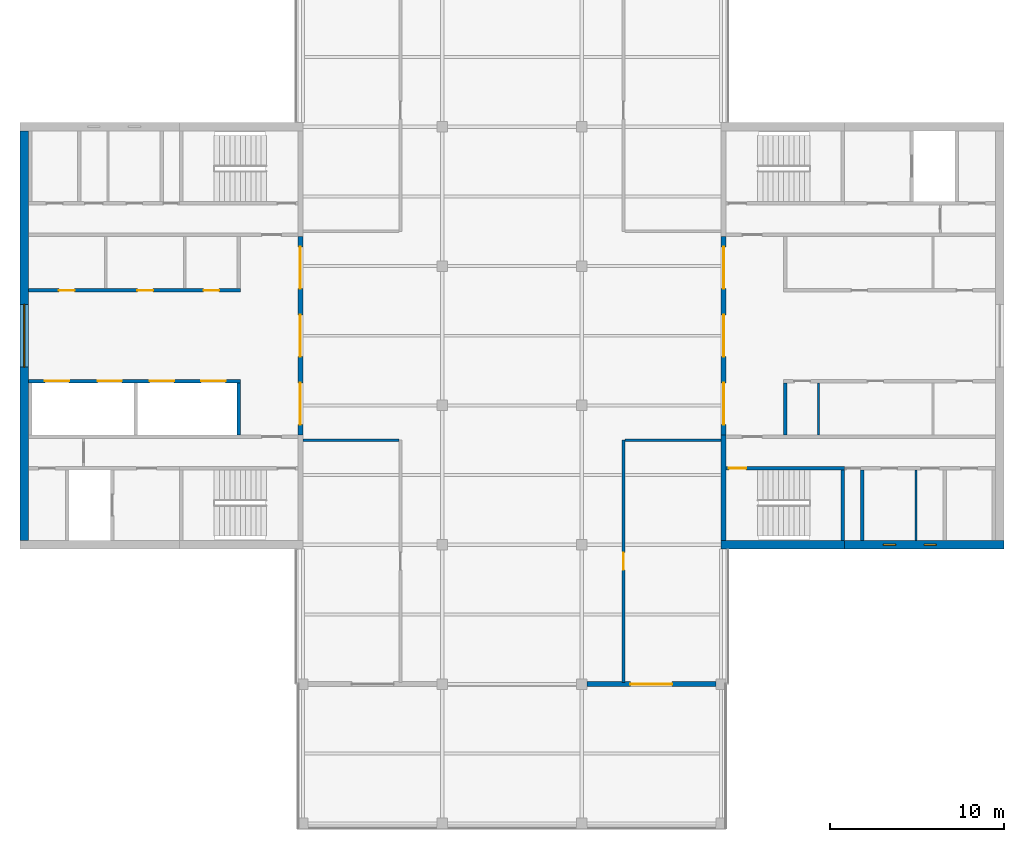
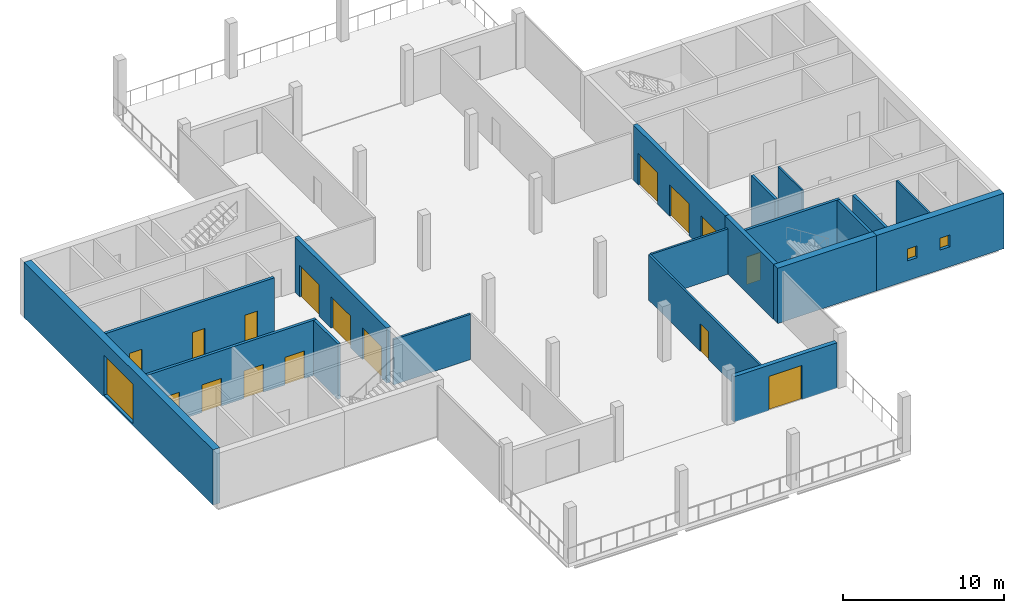
# One storey, part 8 of 12: 19 walls, 16 doors, 3 windows, 19 openings.
"""IFC4 building model written with IfcOpenShell, lengths in metres."""

import ifcopenshell
import ifcopenshell.guid

model = None  # the IFC model being written
_history = None  # IfcOwnerHistory: only IFC2X3 demands one
_inside = {}  # id of a spatial element -> (the spatial element, [elements in it])
_under = {}  # id of a project, library or spatial element -> (it, [spatial elements below it])
_declared = {}  # id of a project -> (the project, [libraries it declares])
_typed = {}  # id of a type object -> (the type object, [elements of that type])
_made_of = {}  # id of a material, layer set ... -> (it, [elements and type objects made of it])


def new_model(schema):
    """Start an empty IFC model of exactly this schema.

    Asked for "IFC4X3", IfcOpenShell would pick the latest addendum, in which some entities
    have other attributes; the version numbers below select the first issue.
    IFC2X3 requires an IfcOwnerHistory on every rooted entity: one is made here for all.
    """
    global model, _history
    if schema == "IFC4X3":
        model = ifcopenshell.file(schema_version=(4, 3, 0, 0))
    else:
        model = ifcopenshell.file(schema=schema)
    _inside.clear()
    _under.clear()
    _declared.clear()
    _typed.clear()
    _made_of.clear()
    _history = None
    if model.schema == "IFC2X3":
        org = make("IfcOrganization", Name="unknown")
        user = make(
            "IfcPersonAndOrganization",
            ThePerson=make("IfcPerson", FamilyName="unknown"),
            TheOrganization=org,
        )
        app = make(
            "IfcApplication",
            ApplicationDeveloper=org,
            Version="unknown",
            ApplicationFullName="unknown",
            ApplicationIdentifier="unknown",
        )
        _history = make(
            "IfcOwnerHistory",
            OwningUser=user,
            OwningApplication=app,
            ChangeAction="ADDED",
            CreationDate=0,
        )
    return model


def make(cls, **values):
    """One entity of the class cls with the attributes given. An attribute that is None is left unset."""
    return model.create_entity(
        cls, **{name: value for name, value in values.items() if value is not None}
    )


def rooted(cls, **values):
    """An entity with a GlobalId (a new one), such as an element, a storey or a relation."""
    return make(cls, GlobalId=ifcopenshell.guid.new(), OwnerHistory=_history, **values)


def si_unit(unit_type, name, prefix=None):
    """IfcSIUnit, for example si_unit("LENGTHUNIT", "METRE", prefix="MILLI")."""
    return make("IfcSIUnit", UnitType=unit_type, Prefix=prefix, Name=name)


def assignment(units):
    """IfcUnitAssignment: the units of a project."""
    return None if units is None else make("IfcUnitAssignment", Units=units)


def point(xyz):
    """IfcCartesianPoint."""
    return None if xyz is None else make("IfcCartesianPoint", Coordinates=xyz)


def direction(xyz):
    """IfcDirection."""
    return None if xyz is None else make("IfcDirection", DirectionRatios=xyz)


def frame(location, z_axis=None, x_axis=None):
    """IfcAxis2Placement3D, a coordinate frame: its origin and axes. An axis left out is left unset."""
    return make(
        "IfcAxis2Placement3D",
        Location=point(location),
        Axis=direction(z_axis),
        RefDirection=direction(x_axis),
    )


def frame_2d(location, x_axis=None):
    """IfcAxis2Placement2D, a coordinate frame in the plane: its origin and x axis."""
    return make(
        "IfcAxis2Placement2D", Location=point(location), RefDirection=direction(x_axis)
    )


def origin():
    """The frame at (0, 0, 0) with its axes left unset."""
    return frame((0.0, 0.0, 0.0))


def place(relative_to, where):
    """IfcLocalPlacement: puts the frame where relative to a parent placement (None: the world)."""
    return make(
        "IfcLocalPlacement", PlacementRelTo=relative_to, RelativePlacement=where
    )


def context(
    kind, dimensions, precision=None, world=None, true_north=None, identifier=None
):
    """IfcGeometricRepresentationContext, for example the 3D "Model" context."""
    return make(
        "IfcGeometricRepresentationContext",
        ContextIdentifier=identifier,
        ContextType=kind,
        CoordinateSpaceDimension=dimensions,
        Precision=precision,
        WorldCoordinateSystem=world,
        TrueNorth=true_north,
    )


def subcontext(parent, identifier, kind, view, scale=None):
    """IfcGeometricRepresentationSubContext, for example "Body" below "Model"."""
    return make(
        "IfcGeometricRepresentationSubContext",
        ContextIdentifier=identifier,
        ContextType=kind,
        ParentContext=parent,
        TargetScale=scale,
        TargetView=view,
    )


def project(units=None, contexts=None):
    """IfcProject with its units and contexts."""
    return rooted(
        "IfcProject",
        Name="project",
        RepresentationContexts=contexts,
        UnitsInContext=assignment(units),
    )


def spatial(cls, under=None, at=None, **own):
    """A site, building, storey or space (cls), placed at a placement, below another one or the project."""
    s = rooted(cls, ObjectPlacement=at, **own)
    if under is not None:
        _under.setdefault(under.id(), (under, []))[1].append(s)
    return s


def profile(cls, at=None, kind="AREA", **sizes):
    """A parametric profile (cls). Its sizes go by their IFC names, for example OverallWidth=200.0."""
    return make(cls, ProfileType=kind, Position=at, **sizes)


def rectangle(**sizes):
    """IfcRectangleProfileDef."""
    return profile("IfcRectangleProfileDef", **sizes)


def extrude(swept, where, along, depth):
    """IfcExtrudedAreaSolid: the profile swept, set in the frame where, extruded along a direction by depth."""
    return make(
        "IfcExtrudedAreaSolid",
        SweptArea=swept,
        Position=where,
        ExtrudedDirection=direction(along),
        Depth=depth,
    )


def shape(context_of_items, identifier, shape_type, items):
    """IfcShapeRepresentation: the items that make up one representation, for example the "Body"."""
    return make(
        "IfcShapeRepresentation",
        ContextOfItems=context_of_items,
        RepresentationIdentifier=identifier,
        RepresentationType=shape_type,
        Items=items,
    )


def material(Name=None, Category=None):
    """IfcMaterial."""
    return make("IfcMaterial", Name=Name, Category=Category)


def layer(
    of_material, thickness, ventilated=None, Name=None, Category=None, Priority=None
):
    """IfcMaterialLayer: one layer of a wall or slab, of a material (None: an air gap)."""
    return make(
        "IfcMaterialLayer",
        Material=of_material,
        LayerThickness=thickness,
        IsVentilated=ventilated,
        Name=Name,
        Category=Category,
        Priority=Priority,
    )


def layer_set(layers, Name=None):
    """IfcMaterialLayerSet."""
    return make("IfcMaterialLayerSet", MaterialLayers=layers, LayerSetName=Name)


def constituent(of_material, Name=None, Category=None, fraction=None):
    """IfcMaterialConstituent: one of the materials an element consists of."""
    return make(
        "IfcMaterialConstituent",
        Name=Name,
        Material=of_material,
        Fraction=fraction,
        Category=Category,
    )


def constituent_set(constituents=None, Name=None):
    """IfcMaterialConstituentSet."""
    return make(
        "IfcMaterialConstituentSet", Name=Name, MaterialConstituents=constituents
    )


def made_of(thing, what):
    """Note that an element or type object is made of a material, layer set ...; save() writes the relation."""
    if what is not None:
        _made_of.setdefault(what.id(), (what, []))[1].append(thing)
    return thing


def type_object(cls, material=None, **own):
    """A type object (cls), such as IfcWallType, which elements share."""
    return made_of(rooted(cls, **own), material)


def element(
    cls,
    number,
    at=None,
    inside=None,
    cuts=None,
    type_object=None,
    material=None,
    context=None,
    identifier="Body",
    shape_type=None,
    held_by="IfcProductDefinitionShape",
    body=None,
    shapes=None,
    **own,
):
    """One element of the class cls, such as IfcWall. Its Tag is "e" and its number.

    at: its placement. inside: the storey or other place that contains it. cuts: it is an
    opening in that element (IfcRelVoidsElement). A single representation is given by context,
    identifier, shape_type and body (its items); several are given by shapes. held_by: the class
    of the entity that holds the representations. save() writes the other relations.
    """
    e = rooted(cls, Tag="e%d" % number, ObjectPlacement=at, **own)
    if body is not None:
        shapes = [shape(context, identifier, shape_type, body)]
    if shapes is not None:
        e.Representation = make(held_by, Representations=shapes)
    if inside is not None:
        _inside.setdefault(inside.id(), (inside, []))[1].append(e)
    if cuts is not None:
        rooted(
            "IfcRelVoidsElement", RelatingBuildingElement=cuts, RelatedOpeningElement=e
        )
    if type_object is not None:
        _typed.setdefault(type_object.id(), (type_object, []))[1].append(e)
    return made_of(e, material)


def fill(opening, filler):
    """IfcRelFillsElement: the door or window that sits in an opening."""
    return rooted(
        "IfcRelFillsElement",
        RelatingOpeningElement=opening,
        RelatedBuildingElement=filler,
    )


def aggregate(whole, parts):
    """IfcRelAggregates: a whole, such as a stair, and the parts it consists of."""
    return rooted("IfcRelAggregates", RelatingObject=whole, RelatedObjects=parts)


def save(model, path):
    """Write the relations noted so far, then the file.

    IfcRelAggregates (storeys below a building ...), IfcRelContainedInSpatialStructure (elements
    in a storey), IfcRelDefinesByType, IfcRelAssociatesMaterial and IfcRelDeclares: one each for
    every whole, place, type object, material and project.
    """
    for whole, parts in _under.values():
        aggregate(whole, parts)
    for where, things in _inside.values():
        rooted(
            "IfcRelContainedInSpatialStructure",
            RelatedElements=things,
            RelatingStructure=where,
        )
    for kind, things in _typed.values():
        rooted("IfcRelDefinesByType", RelatedObjects=things, RelatingType=kind)
    for what, things in _made_of.values():
        rooted("IfcRelAssociatesMaterial", RelatedObjects=things, RelatingMaterial=what)
    for by, libraries in _declared.values():
        rooted("IfcRelDeclares", RelatingContext=by, RelatedDefinitions=libraries)
    model.write(path)


model = new_model("IFC4")

# Units and contexts
model_context = context("Model", 3, precision=1e-05, world=origin(), true_north=direction((0.0, 1.0)))
body_context = subcontext(model_context, "Body", "Model", "MODEL_VIEW")
ifc_project = project(units=[si_unit("LENGTHUNIT", "METRE"), si_unit("AREAUNIT", "SQUARE_METRE"), si_unit("VOLUMEUNIT", "CUBIC_METRE"), si_unit("PLANEANGLEUNIT", "RADIAN"), si_unit("MASSUNIT", "GRAM", prefix="KILO")], contexts=[model_context])

# Site, building, storey
site_placement = place(None, origin())
site = spatial("IfcSite", under=ifc_project, at=site_placement, CompositionType="ELEMENT")
building_placement = place(site_placement, origin())
building = spatial("IfcBuilding", under=site, at=building_placement, Name="Crosswind Convention Tower", CompositionType="ELEMENT")
storey_placement = place(building_placement, frame((0.0, 0.0, 323.89990234375)))
storey = spatial("IfcBuildingStorey", under=building, at=storey_placement, Name="L70", CompositionType="ELEMENT", Elevation=323.89990234375)

# Wall
ifc_material_1 = material(Name="Concrete blockwork", Category="masonry")
ifc_layer_1 = layer(ifc_material_1, 0.199951171875)
ifc_layer_set_1 = layer_set([ifc_layer_1], Name="Blockwork partition wall 200")
wall_type_1 = type_object("IfcWallType", Name="Blockwork partition wall 200", PredefinedType="PARTITIONING", material=ifc_layer_set_1)
wall_1_placement = place(storey_placement, frame((145.10009765625, 88.25, 0.0), z_axis=(0.0, 0.0, 1.0), x_axis=(0.0, 1.0, 0.0)))
element("IfcWall", 1, at=wall_1_placement, inside=storey, type_object=wall_type_1, Name="Wall MRSE E L70", PredefinedType="PARTITIONING", context=body_context, shape_type="SweptSolid", body=[
    extrude(rectangle(XDim=4.050048828125, YDim=0.199951171875, at=frame_2d((2.02490234375, 0.0))), origin(), (0.0, 0.0, 1.0), 4.2001953125),
])

# Wall, openings, doors
ifc_material_2 = material(Name="Concrete C50/60", Category="concrete")
ifc_layer_2 = layer(ifc_material_2, 0.300048828125)
ifc_layer_set_2 = layer_set([ifc_layer_2], Name="Concrete C50/60")
wall_type_2 = type_object("IfcWallType", Name="Concrete inner core wall 300", PredefinedType="SHEAR", material=ifc_layer_set_2)
wall_2_placement = place(storey_placement, frame((137.14990234375, 94.300048828125, 0.0), z_axis=(0.0, 0.0, 1.0), x_axis=(0.0, 1.0, 0.0)))
wall_2 = element("IfcWall", 2, at=wall_2_placement, inside=storey, type_object=wall_type_2, Name="Wall SCR E L70", PredefinedType="SHEAR", context=body_context, shape_type="SweptSolid", body=[
    extrude(rectangle(XDim=11.39990234375, YDim=0.300048828125, at=frame_2d((5.699951171875, 0.0))), origin(), (0.0, 0.0, 1.0), 4.2001953125),
])
opening_1_placement = place(wall_2_placement, frame((0.60009765625, 0.0, 0.0)))
opening_1 = element("IfcOpeningElement", 3, at=opening_1_placement, cuts=wall_2, Name="Opening D100", PredefinedType="OPENING", context=body_context, shape_type="SweptSolid", body=[
    extrude(rectangle(XDim=2.39990234375, YDim=2.39990234375, at=frame_2d((1.199951171875, 1.199951171875))), frame((0.0, 0.159912109375, 0.0), z_axis=(0.0, -1.0, 0.0), x_axis=(1.0, 0.0, 0.0)), (0.0, 0.0, 1.0), 0.320068359375),
])
opening_2_placement = place(wall_2_placement, frame((4.5, 0.0, 0.0)))
opening_2 = element("IfcOpeningElement", 4, at=opening_2_placement, cuts=wall_2, Name="Opening D100", PredefinedType="OPENING", context=body_context, shape_type="SweptSolid", body=[
    extrude(rectangle(XDim=2.39990234375, YDim=2.39990234375, at=frame_2d((1.199951171875, 1.199951171875))), frame((0.0, 0.159912109375, 0.0), z_axis=(0.0, -1.0, 0.0), x_axis=(1.0, 0.0, 0.0)), (0.0, 0.0, 1.0), 0.320068359375),
])
opening_3_placement = place(wall_2_placement, frame((8.39990234375, 0.0, 0.0)))
opening_3 = element("IfcOpeningElement", 5, at=opening_3_placement, cuts=wall_2, Name="Opening D100", PredefinedType="OPENING", context=body_context, shape_type="SweptSolid", body=[
    extrude(rectangle(XDim=2.39990234375, YDim=2.39990234375, at=frame_2d((1.199951171875, 1.199951171875))), frame((0.0, 0.159912109375, 0.0), z_axis=(0.0, -1.0, 0.0), x_axis=(1.0, 0.0, 0.0)), (0.0, 0.0, 1.0), 0.320068359375),
])
ifc_material_3 = material(Name="Steel fire door with glazed vision panels", Category="steel")
door_type_1 = type_object("IfcDoorType", Name="Fire-rated double door 2400x2400", OperationType="DOUBLE_DOOR_SINGLE_SWING", PredefinedType="DOOR", material=ifc_material_3)
door_1_placement = place(opening_1_placement, origin())
door_1 = element("IfcDoor", 6, at=door_1_placement, inside=storey, type_object=door_type_1, Name="Lobby door 1 L70", ObjectType="D100", OperationType="DOUBLE_DOOR_SINGLE_SWING", OverallHeight=2.39990234375, OverallWidth=2.39990234375, PredefinedType="DOOR", context=body_context, shape_type="SweptSolid", body=[
    extrude(rectangle(XDim=2.39990234375, YDim=2.39990234375, at=frame_2d((1.199951171875, 1.199951171875))), frame((0.0, 0.02490234375, 0.0), z_axis=(0.0, -1.0, 0.0), x_axis=(1.0, 0.0, 0.0)), (0.0, 0.0, 1.0), 0.050048828125),
])
fill(opening_1, door_1)
door_2_placement = place(opening_2_placement, origin())
door_2 = element("IfcDoor", 7, at=door_2_placement, inside=storey, type_object=door_type_1, Name="Lobby door 2 L70", ObjectType="D100", OperationType="DOUBLE_DOOR_SINGLE_SWING", OverallHeight=2.39990234375, OverallWidth=2.39990234375, PredefinedType="DOOR", context=body_context, shape_type="SweptSolid", body=[
    extrude(rectangle(XDim=2.39990234375, YDim=2.39990234375, at=frame_2d((1.199951171875, 1.199951171875))), frame((0.0, 0.02490234375, 0.0), z_axis=(0.0, -1.0, 0.0), x_axis=(1.0, 0.0, 0.0)), (0.0, 0.0, 1.0), 0.050048828125),
])
fill(opening_2, door_2)
door_3_placement = place(opening_3_placement, origin())
door_3 = element("IfcDoor", 8, at=door_3_placement, inside=storey, type_object=door_type_1, Name="Lobby door 3 L70", ObjectType="D100", OperationType="DOUBLE_DOOR_SINGLE_SWING", OverallHeight=2.39990234375, OverallWidth=2.39990234375, PredefinedType="DOOR", context=body_context, shape_type="SweptSolid", body=[
    extrude(rectangle(XDim=2.39990234375, YDim=2.39990234375, at=frame_2d((1.199951171875, 1.199951171875))), frame((0.0, 0.02490234375, 0.0), z_axis=(0.0, -1.0, 0.0), x_axis=(1.0, 0.0, 0.0)), (0.0, 0.0, 1.0), 0.050048828125),
])
fill(opening_3, door_3)

# Wall
wall_3_placement = place(storey_placement, frame((137.14990234375, 88.25, 0.0), z_axis=(0.0, 0.0, 1.0), x_axis=(0.0, 1.0, 0.0)))
element("IfcWall", 9, at=wall_3_placement, inside=storey, type_object=wall_type_2, Name="Wall EM E L70", PredefinedType="SHEAR", context=body_context, shape_type="SweptSolid", body=[
    extrude(rectangle(XDim=6.050048828125, YDim=0.300048828125, at=frame_2d((3.02490234375, 0.0))), origin(), (0.0, 0.0, 1.0), 4.2001953125),
])

# Wall, openings, doors
wall_4_placement = place(storey_placement, frame((112.85009765625, 105.699951171875, 0.0), z_axis=(0.0, 0.0, 1.0), x_axis=(0.0, -1.0, 0.0)))
wall_4 = element("IfcWall", 10, at=wall_4_placement, inside=storey, type_object=wall_type_2, Name="Wall SCR W L70", PredefinedType="SHEAR", context=body_context, shape_type="SweptSolid", body=[
    extrude(rectangle(XDim=11.39990234375, YDim=0.300048828125, at=frame_2d((5.699951171875, 0.0))), origin(), (0.0, 0.0, 1.0), 4.2001953125),
])
opening_4_placement = place(wall_4_placement, frame((0.60009765625, 0.0, 0.0)))
opening_4 = element("IfcOpeningElement", 11, at=opening_4_placement, cuts=wall_4, Name="Opening D100", PredefinedType="OPENING", context=body_context, shape_type="SweptSolid", body=[
    extrude(rectangle(XDim=2.39990234375, YDim=2.39990234375, at=frame_2d((1.199951171875, 1.199951171875))), frame((0.0, 0.159912109375, 0.0), z_axis=(0.0, -1.0, 0.0), x_axis=(1.0, 0.0, 0.0)), (0.0, 0.0, 1.0), 0.320068359375),
])
opening_5_placement = place(wall_4_placement, frame((4.5, 0.0, 0.0)))
opening_5 = element("IfcOpeningElement", 12, at=opening_5_placement, cuts=wall_4, Name="Opening D100", PredefinedType="OPENING", context=body_context, shape_type="SweptSolid", body=[
    extrude(rectangle(XDim=2.39990234375, YDim=2.39990234375, at=frame_2d((1.199951171875, 1.199951171875))), frame((0.0, 0.159912109375, 0.0), z_axis=(0.0, -1.0, 0.0), x_axis=(1.0, 0.0, 0.0)), (0.0, 0.0, 1.0), 0.320068359375),
])
opening_6_placement = place(wall_4_placement, frame((8.39990234375, 0.0, 0.0)))
opening_6 = element("IfcOpeningElement", 13, at=opening_6_placement, cuts=wall_4, Name="Opening D100", PredefinedType="OPENING", context=body_context, shape_type="SweptSolid", body=[
    extrude(rectangle(XDim=2.39990234375, YDim=2.39990234375, at=frame_2d((1.199951171875, 1.199951171875))), frame((0.0, 0.159912109375, 0.0), z_axis=(0.0, -1.0, 0.0), x_axis=(1.0, 0.0, 0.0)), (0.0, 0.0, 1.0), 0.320068359375),
])
door_4_placement = place(opening_4_placement, origin())
door_4 = element("IfcDoor", 14, at=door_4_placement, inside=storey, type_object=door_type_1, Name="Lobby door 1 L70", ObjectType="D100", OperationType="DOUBLE_DOOR_SINGLE_SWING", OverallHeight=2.39990234375, OverallWidth=2.39990234375, PredefinedType="DOOR", context=body_context, shape_type="SweptSolid", body=[
    extrude(rectangle(XDim=2.39990234375, YDim=2.39990234375, at=frame_2d((1.199951171875, 1.199951171875))), frame((0.0, 0.02490234375, 0.0), z_axis=(0.0, -1.0, 0.0), x_axis=(1.0, 0.0, 0.0)), (0.0, 0.0, 1.0), 0.050048828125),
])
fill(opening_4, door_4)
door_5_placement = place(opening_5_placement, origin())
door_5 = element("IfcDoor", 15, at=door_5_placement, inside=storey, type_object=door_type_1, Name="Lobby door 2 L70", ObjectType="D100", OperationType="DOUBLE_DOOR_SINGLE_SWING", OverallHeight=2.39990234375, OverallWidth=2.39990234375, PredefinedType="DOOR", context=body_context, shape_type="SweptSolid", body=[
    extrude(rectangle(XDim=2.39990234375, YDim=2.39990234375, at=frame_2d((1.199951171875, 1.199951171875))), frame((0.0, 0.02490234375, 0.0), z_axis=(0.0, -1.0, 0.0), x_axis=(1.0, 0.0, 0.0)), (0.0, 0.0, 1.0), 0.050048828125),
])
fill(opening_5, door_5)
door_6_placement = place(opening_6_placement, origin())
door_6 = element("IfcDoor", 16, at=door_6_placement, inside=storey, type_object=door_type_1, Name="Lobby door 3 L70", ObjectType="D100", OperationType="DOUBLE_DOOR_SINGLE_SWING", OverallHeight=2.39990234375, OverallWidth=2.39990234375, PredefinedType="DOOR", context=body_context, shape_type="SweptSolid", body=[
    extrude(rectangle(XDim=2.39990234375, YDim=2.39990234375, at=frame_2d((1.199951171875, 1.199951171875))), frame((0.0, 0.02490234375, 0.0), z_axis=(0.0, -1.0, 0.0), x_axis=(1.0, 0.0, 0.0)), (0.0, 0.0, 1.0), 0.050048828125),
])
fill(opening_6, door_6)

# Walls
ifc_layer_3 = layer(ifc_material_2, 0.199951171875)
ifc_layer_set_3 = layer_set([ifc_layer_3], Name="Concrete C50/60")
wall_type_3 = type_object("IfcWallType", Name="Concrete shaft and stair wall 200", PredefinedType="SHEAR", material=ifc_layer_set_3)
wall_5_placement = place(storey_placement, frame((140.699951171875, 94.300048828125, 0.0), z_axis=(0.0, 0.0, 1.0), x_axis=(0.0, 1.0, 0.0)))
element("IfcWall", 17, at=wall_5_placement, inside=storey, type_object=wall_type_3, Name="Wall RMEND E L70", PredefinedType="SHEAR", context=body_context, shape_type="SweptSolid", body=[
    extrude(rectangle(XDim=3.0, YDim=0.199951171875, at=frame_2d((1.5, 0.0))), origin(), (0.0, 0.0, 1.0), 4.2001953125),
])
wall_6_placement = place(storey_placement, frame((144.0, 88.25, 0.0), z_axis=(0.0, 0.0, 1.0), x_axis=(0.0, 1.0, 0.0)))
element("IfcWall", 18, at=wall_6_placement, inside=storey, type_object=wall_type_3, Name="Wall MSE E L70", PredefinedType="SHEAR", context=body_context, shape_type="SweptSolid", body=[
    extrude(rectangle(XDim=4.050048828125, YDim=0.199951171875, at=frame_2d((2.02490234375, 0.0))), origin(), (0.0, 0.0, 1.0), 4.2001953125),
])

# Wall, opening, door
wall_7_placement = place(storey_placement, frame((137.300048828125, 92.39990234375, 0.0), z_axis=(0.0, 0.0, 1.0), x_axis=(1.0, 0.0, 0.0)))
wall_7 = element("IfcWall", 19, at=wall_7_placement, inside=storey, type_object=wall_type_3, Name="Wall MCW E L70", PredefinedType="SHEAR", context=body_context, shape_type="SweptSolid", body=[
    extrude(rectangle(XDim=6.800048828125, YDim=0.199951171875, at=frame_2d((3.39990234375, 0.0))), origin(), (0.0, 0.0, 1.0), 4.2001953125),
])
opening_7_placement = place(wall_7_placement, frame((0.14990234375, 0.0, 0.0)))
opening_7 = element("IfcOpeningElement", 20, at=opening_7_placement, cuts=wall_7, Name="Opening D103", PredefinedType="OPENING", context=body_context, shape_type="SweptSolid", body=[
    extrude(rectangle(XDim=1.0, YDim=2.10009765625, at=frame_2d((0.5, 1.050048828125))), frame((0.0, 0.10986328125, 0.0), z_axis=(0.0, -1.0, 0.0), x_axis=(1.0, 0.0, 0.0)), (0.0, 0.0, 1.0), 0.219970703125),
])
ifc_material_4 = material(Name="Steel fire door", Category="steel")
door_type_2 = type_object("IfcDoorType", Name="Fire-rated single door 1000x2100", OperationType="NOTDEFINED", PredefinedType="DOOR", material=ifc_material_4)
door_7_placement = place(opening_7_placement, frame((1.0, 0.0, 0.0), z_axis=(0.0, 0.0, 1.0), x_axis=(-1.0, 0.0, 0.0)))
door_7 = element("IfcDoor", 21, at=door_7_placement, inside=storey, type_object=door_type_2, Name="Stair ST2 door L70", ObjectType="D103", OperationType="SINGLE_SWING_RIGHT", OverallHeight=2.10009765625, OverallWidth=1.0, PredefinedType="DOOR", context=body_context, shape_type="SweptSolid", body=[
    extrude(rectangle(XDim=1.0, YDim=2.10009765625, at=frame_2d((0.5, 1.050048828125))), frame((0.0, 0.02490234375, 0.0), z_axis=(0.0, -1.0, 0.0), x_axis=(1.0, 0.0, 0.0)), (0.0, 0.0, 1.0), 0.050048828125),
])
fill(opening_7, door_7)

# Wall
wall_8_placement = place(storey_placement, frame((109.300048828125, 97.300048828125, 0.0), z_axis=(0.0, 0.0, 1.0), x_axis=(0.0, -1.0, 0.0)))
element("IfcWall", 22, at=wall_8_placement, inside=storey, type_object=wall_type_3, Name="Wall RPEND W L70", PredefinedType="SHEAR", context=body_context, shape_type="SweptSolid", body=[
    extrude(rectangle(XDim=3.0, YDim=0.199951171875, at=frame_2d((1.5, 0.0))), origin(), (0.0, 0.0, 1.0), 4.2001953125),
])

# Wall, openings, doors
wall_9_placement = place(storey_placement, frame((109.39990234375, 97.39990234375, 0.0), z_axis=(0.0, 0.0, 1.0), x_axis=(-1.0, 0.0, 0.0)))
wall_9 = element("IfcWall", 23, at=wall_9_placement, inside=storey, type_object=wall_type_3, Name="Wall RPFRONT W L70", PredefinedType="SHEAR", context=body_context, shape_type="SweptSolid", body=[
    extrude(rectangle(XDim=12.14990234375, YDim=0.199951171875, at=frame_2d((6.074951171875, 0.0))), origin(), (0.0, 0.0, 1.0), 4.2001953125),
])
opening_8_placement = place(wall_9_placement, frame((0.85009765625, 0.0, 0.0)))
opening_8 = element("IfcOpeningElement", 24, at=opening_8_placement, cuts=wall_9, Name="Opening LD2", PredefinedType="OPENING", context=body_context, shape_type="SweptSolid", body=[
    extrude(rectangle(XDim=1.39990234375, YDim=2.10009765625, at=frame_2d((0.699951171875, 1.050048828125))), frame((0.0, 0.10986328125, 0.0), z_axis=(0.0, -1.0, 0.0), x_axis=(1.0, 0.0, 0.0)), (0.0, 0.0, 1.0), 0.219970703125),
])
opening_9_placement = place(wall_9_placement, frame((3.800048828125, 0.0, 0.0)))
opening_9 = element("IfcOpeningElement", 25, at=opening_9_placement, cuts=wall_9, Name="Opening LD2", PredefinedType="OPENING", context=body_context, shape_type="SweptSolid", body=[
    extrude(rectangle(XDim=1.39990234375, YDim=2.10009765625, at=frame_2d((0.699951171875, 1.050048828125))), frame((0.0, 0.10986328125, 0.0), z_axis=(0.0, -1.0, 0.0), x_axis=(1.0, 0.0, 0.0)), (0.0, 0.0, 1.0), 0.219970703125),
])
opening_10_placement = place(wall_9_placement, frame((6.800048828125, 0.0, 0.0)))
opening_10 = element("IfcOpeningElement", 26, at=opening_10_placement, cuts=wall_9, Name="Opening LD2", PredefinedType="OPENING", context=body_context, shape_type="SweptSolid", body=[
    extrude(rectangle(XDim=1.39990234375, YDim=2.10009765625, at=frame_2d((0.699951171875, 1.050048828125))), frame((0.0, 0.10986328125, 0.0), z_axis=(0.0, -1.0, 0.0), x_axis=(1.0, 0.0, 0.0)), (0.0, 0.0, 1.0), 0.219970703125),
])
opening_11_placement = place(wall_9_placement, frame((9.824951171875, 0.0, 0.0)))
opening_11 = element("IfcOpeningElement", 27, at=opening_11_placement, cuts=wall_9, Name="Opening LD2", PredefinedType="OPENING", context=body_context, shape_type="SweptSolid", body=[
    extrude(rectangle(XDim=1.39990234375, YDim=2.10009765625, at=frame_2d((0.699951171875, 1.050048828125))), frame((0.0, 0.10986328125, 0.0), z_axis=(0.0, -1.0, 0.0), x_axis=(1.0, 0.0, 0.0)), (0.0, 0.0, 1.0), 0.219970703125),
])
ifc_material_5 = material(Name="Stainless steel", Category="steel")
door_type_3 = type_object("IfcDoorType", Name="Lift landing door 1400x2100", OperationType="DOUBLE_DOOR_SLIDING", PredefinedType="DOOR", material=ifc_material_5)
door_8_placement = place(opening_8_placement, origin())
door_8 = element("IfcDoor", 28, at=door_8_placement, inside=storey, type_object=door_type_3, Name="Landing door HR1 L70", ObjectType="LD2", OperationType="DOUBLE_DOOR_SLIDING", OverallHeight=2.10009765625, OverallWidth=1.39990234375, PredefinedType="DOOR", context=body_context, shape_type="SweptSolid", body=[
    extrude(rectangle(XDim=1.39990234375, YDim=2.10009765625, at=frame_2d((0.699951171875, 1.050048828125))), frame((0.0, 0.02490234375, 0.0), z_axis=(0.0, -1.0, 0.0), x_axis=(1.0, 0.0, 0.0)), (0.0, 0.0, 1.0), 0.050048828125),
])
fill(opening_8, door_8)
door_9_placement = place(opening_9_placement, origin())
door_9 = element("IfcDoor", 29, at=door_9_placement, inside=storey, type_object=door_type_3, Name="Landing door HR2 L70", ObjectType="LD2", OperationType="DOUBLE_DOOR_SLIDING", OverallHeight=2.10009765625, OverallWidth=1.39990234375, PredefinedType="DOOR", context=body_context, shape_type="SweptSolid", body=[
    extrude(rectangle(XDim=1.39990234375, YDim=2.10009765625, at=frame_2d((0.699951171875, 1.050048828125))), frame((0.0, 0.02490234375, 0.0), z_axis=(0.0, -1.0, 0.0), x_axis=(1.0, 0.0, 0.0)), (0.0, 0.0, 1.0), 0.050048828125),
])
fill(opening_9, door_9)
door_10_placement = place(opening_10_placement, origin())
door_10 = element("IfcDoor", 30, at=door_10_placement, inside=storey, type_object=door_type_3, Name="Landing door HR3 L70", ObjectType="LD2", OperationType="DOUBLE_DOOR_SLIDING", OverallHeight=2.10009765625, OverallWidth=1.39990234375, PredefinedType="DOOR", context=body_context, shape_type="SweptSolid", body=[
    extrude(rectangle(XDim=1.39990234375, YDim=2.10009765625, at=frame_2d((0.699951171875, 1.050048828125))), frame((0.0, 0.02490234375, 0.0), z_axis=(0.0, -1.0, 0.0), x_axis=(1.0, 0.0, 0.0)), (0.0, 0.0, 1.0), 0.050048828125),
])
fill(opening_10, door_10)
door_11_placement = place(opening_11_placement, origin())
door_11 = element("IfcDoor", 31, at=door_11_placement, inside=storey, type_object=door_type_3, Name="Landing door HR4 L70", ObjectType="LD2", OperationType="DOUBLE_DOOR_SLIDING", OverallHeight=2.10009765625, OverallWidth=1.39990234375, PredefinedType="DOOR", context=body_context, shape_type="SweptSolid", body=[
    extrude(rectangle(XDim=1.39990234375, YDim=2.10009765625, at=frame_2d((0.699951171875, 1.050048828125))), frame((0.0, 0.02490234375, 0.0), z_axis=(0.0, -1.0, 0.0), x_axis=(1.0, 0.0, 0.0)), (0.0, 0.0, 1.0), 0.050048828125),
])
fill(opening_11, door_11)

wall_10_placement = place(storey_placement, frame((109.39990234375, 102.60009765625, 0.0), z_axis=(0.0, 0.0, 1.0), x_axis=(-1.0, 0.0, 0.0)))
wall_10 = element("IfcWall", 32, at=wall_10_placement, inside=storey, type_object=wall_type_3, Name="Wall RMFRONT W L70", PredefinedType="SHEAR", context=body_context, shape_type="SweptSolid", body=[
    extrude(rectangle(XDim=12.14990234375, YDim=0.199951171875, at=frame_2d((6.074951171875, 0.0))), origin(), (0.0, 0.0, 1.0), 4.2001953125),
])
opening_12_placement = place(wall_10_placement, frame((1.21240234375, 0.0, 0.0)))
opening_12 = element("IfcOpeningElement", 33, at=opening_12_placement, cuts=wall_10, Name="Opening D106", PredefinedType="OPENING", context=body_context, shape_type="SweptSolid", body=[
    extrude(rectangle(XDim=0.89990234375, YDim=2.10009765625, at=frame_2d((0.449951171875, 1.050048828125))), frame((0.0, 0.10986328125, 0.0), z_axis=(0.0, -1.0, 0.0), x_axis=(1.0, 0.0, 0.0)), (0.0, 0.0, 1.0), 0.219970703125),
])
opening_13_placement = place(wall_10_placement, frame((5.008056640625, 0.0, 0.0)))
opening_13 = element("IfcOpeningElement", 34, at=opening_13_placement, cuts=wall_10, Name="Opening D106", PredefinedType="OPENING", context=body_context, shape_type="SweptSolid", body=[
    extrude(rectangle(XDim=0.89990234375, YDim=2.10009765625, at=frame_2d((0.449951171875, 1.050048828125))), frame((0.0, 0.10986328125, 0.0), z_axis=(0.0, -1.0, 0.0), x_axis=(1.0, 0.0, 0.0)), (0.0, 0.0, 1.0), 0.219970703125),
])
opening_14_placement = place(wall_10_placement, frame((9.5205078125, 0.0, 0.0)))
opening_14 = element("IfcOpeningElement", 35, at=opening_14_placement, cuts=wall_10, Name="Opening D106", PredefinedType="OPENING", context=body_context, shape_type="SweptSolid", body=[
    extrude(rectangle(XDim=0.89990234375, YDim=2.10009765625, at=frame_2d((0.449951171875, 1.050048828125))), frame((0.0, 0.10986328125, 0.0), z_axis=(0.0, -1.0, 0.0), x_axis=(1.0, 0.0, 0.0)), (0.0, 0.0, 1.0), 0.219970703125),
])
ifc_material_6 = material(Name="Timber door", Category="wood")
door_type_4 = type_object("IfcDoorType", Name="Single leaf door 900x2100", OperationType="NOTDEFINED", PredefinedType="DOOR", material=ifc_material_6)
door_12_placement = place(opening_12_placement, frame((0.89990234375, 0.0, 0.0), z_axis=(0.0, 0.0, 1.0), x_axis=(-1.0, 0.0, 0.0)))
door_12 = element("IfcDoor", 36, at=door_12_placement, inside=storey, type_object=door_type_4, Name="Door to copy and print room L70", ObjectType="D106", OperationType="SINGLE_SWING_LEFT", OverallHeight=2.10009765625, OverallWidth=0.89990234375, PredefinedType="DOOR", context=body_context, shape_type="SweptSolid", body=[
    extrude(rectangle(XDim=0.89990234375, YDim=2.10009765625, at=frame_2d((0.449951171875, 1.050048828125))), frame((0.0, 0.02490234375, 0.0), z_axis=(0.0, -1.0, 0.0), x_axis=(1.0, 0.0, 0.0)), (0.0, 0.0, 1.0), 0.050048828125),
])
fill(opening_12, door_12)
door_13_placement = place(opening_13_placement, frame((0.89990234375, 0.0, 0.0), z_axis=(0.0, 0.0, 1.0), x_axis=(-1.0, 0.0, 0.0)))
door_13 = element("IfcDoor", 37, at=door_13_placement, inside=storey, type_object=door_type_4, Name="Door to meeting room L70", ObjectType="D106", OperationType="SINGLE_SWING_LEFT", OverallHeight=2.10009765625, OverallWidth=0.89990234375, PredefinedType="DOOR", context=body_context, shape_type="SweptSolid", body=[
    extrude(rectangle(XDim=0.89990234375, YDim=2.10009765625, at=frame_2d((0.449951171875, 1.050048828125))), frame((0.0, 0.02490234375, 0.0), z_axis=(0.0, -1.0, 0.0), x_axis=(1.0, 0.0, 0.0)), (0.0, 0.0, 1.0), 0.050048828125),
])
fill(opening_13, door_13)
door_14_placement = place(opening_14_placement, frame((0.89990234375, 0.0, 0.0), z_axis=(0.0, 0.0, 1.0), x_axis=(-1.0, 0.0, 0.0)))
door_14 = element("IfcDoor", 38, at=door_14_placement, inside=storey, type_object=door_type_4, Name="Door to pantry L70", ObjectType="D106", OperationType="SINGLE_SWING_LEFT", OverallHeight=2.10009765625, OverallWidth=0.89990234375, PredefinedType="DOOR", context=body_context, shape_type="SweptSolid", body=[
    extrude(rectangle(XDim=0.89990234375, YDim=2.10009765625, at=frame_2d((0.449951171875, 1.050048828125))), frame((0.0, 0.02490234375, 0.0), z_axis=(0.0, -1.0, 0.0), x_axis=(1.0, 0.0, 0.0)), (0.0, 0.0, 1.0), 0.050048828125),
])
fill(opening_14, door_14)

# Walls
ifc_material_7 = material(Name="Gypsum plasterboard partition", Category="gypsum")
ifc_layer_4 = layer(ifc_material_7, 0.125)
ifc_layer_set_4 = layer_set([ifc_layer_4], Name="Drywall partition wall 125")
wall_type_4 = type_object("IfcWallType", Name="Drywall partition wall 125", PredefinedType="PARTITIONING", material=ifc_layer_set_4)
wall_11_placement = place(storey_placement, frame((142.592529296875, 94.300048828125, 0.0), z_axis=(0.0, 0.0, 1.0), x_axis=(0.0, 1.0, 0.0)))
element("IfcWall", 39, at=wall_11_placement, inside=storey, type_object=wall_type_4, Name="Wall RMP1 E L70", PredefinedType="PARTITIONING", context=body_context, shape_type="SweptSolid", body=[
    extrude(rectangle(XDim=3.0, YDim=0.125, at=frame_2d((1.5, 0.0))), origin(), (0.0, 0.0, 1.0), 4.2001953125),
])
wall_12_placement = place(storey_placement, frame((148.202880859375, 88.25, 0.0), z_axis=(0.0, 0.0, 1.0), x_axis=(0.0, 1.0, 0.0)))
element("IfcWall", 40, at=wall_12_placement, inside=storey, type_object=wall_type_4, Name="Wall MWP1 E L70", PredefinedType="PARTITIONING", context=body_context, shape_type="SweptSolid", body=[
    extrude(rectangle(XDim=4.050048828125, YDim=0.125, at=frame_2d((2.02490234375, 0.0))), origin(), (0.0, 0.0, 1.0), 4.2001953125),
])

# Wall, opening, door
ifc_material_8 = material(Name="Fire-board partition with mineral wool", Category="gypsum")
ifc_layer_5 = layer(ifc_material_8, 0.14990234375)
ifc_layer_set_5 = layer_set([ifc_layer_5], Name="TENANCY WALL 150 TWO-HOUR BOARD")
wall_type_5 = type_object("IfcWallType", Name="TENANCY WALL 150 TWO-HOUR BOARD", PredefinedType="PARTITIONING", material=ifc_layer_set_5)
wall_13_placement = place(storey_placement, frame((131.39990234375, 80.10009765625, 0.0), z_axis=(0.0, 0.0, 1.0), x_axis=(0.0, 1.0, 0.0)))
wall_13 = element("IfcWall", 41, at=wall_13_placement, inside=storey, type_object=wall_type_5, Name="Tenancy wall WT41", PredefinedType="PARTITIONING", context=body_context, shape_type="SweptSolid", body=[
    extrude(rectangle(XDim=13.89990234375, YDim=0.14990234375, at=frame_2d((6.949951171875, 0.0))), origin(), (0.0, 0.0, 1.0), 3.44287109375),
])
opening_15_placement = place(wall_13_placement, frame((6.449951171875, 0.0, 0.0)))
opening_15 = element("IfcOpeningElement", 42, at=opening_15_placement, cuts=wall_13, Name="Opening L70-51", PredefinedType="OPENING", context=body_context, shape_type="SweptSolid", body=[
    extrude(rectangle(XDim=1.0, YDim=2.10009765625, at=frame_2d((0.5, 1.050048828125))), frame((0.0, 0.0849609375, 0.0), z_axis=(0.0, -1.0, 0.0), x_axis=(1.0, 0.0, 0.0)), (0.0, 0.0, 1.0), 0.169921875),
])
ifc_material_9 = material(Name="Timber fire door", Category="wood")
door_type_5 = type_object("IfcDoorType", Name="TENANCY ENTRANCE DOOR 1000X2100 FD30S", OperationType="NOTDEFINED", PredefinedType="DOOR", material=ifc_material_9)
door_15_placement = place(opening_15_placement, frame((1.0, 0.0, 0.0), z_axis=(0.0, 0.0, 1.0), x_axis=(-1.0, 0.0, 0.0)))
door_15 = element("IfcDoor", 43, at=door_15_placement, inside=storey, type_object=door_type_5, Name="Door L70-51", ObjectType="D41", OperationType="SINGLE_SWING_LEFT", OverallHeight=2.10009765625, OverallWidth=1.0, PredefinedType="DOOR", context=body_context, shape_type="SweptSolid", body=[
    extrude(rectangle(XDim=1.0, YDim=2.10009765625, at=frame_2d((0.5, 1.050048828125))), frame((0.0, 0.02490234375, 0.0), z_axis=(0.0, -1.0, 0.0), x_axis=(1.0, 0.0, 0.0)), (0.0, 0.0, 1.0), 0.050048828125),
])
fill(opening_15, door_15)

# Walls
for number, where, z_axis, x_axis, name in (
    (44, (113.0, 94.0, 0.0), (0.0, 0.0, 1.0), (1.0, 0.0, 0.0), "Tenancy wall WT41"),
    (45, (131.47509765625, 94.0, 0.0), (0.0, 0.0, 1.0), (1.0, 0.0, 0.0), "Tenancy wall WT41"),
):
    element("IfcWall", number, at=place(storey_placement, frame(where, z_axis=z_axis, x_axis=x_axis)), inside=storey, type_object=wall_type_5, Name=name, PredefinedType="PARTITIONING", context=body_context, shape_type="SweptSolid", body=[
        extrude(rectangle(XDim=5.52490234375, YDim=0.14990234375, at=frame_2d((2.762451171875, 0.0))), origin(), (0.0, 0.0, 1.0), 3.44287109375),
    ])

# Wall, opening, door
ifc_material_10 = material(Name="Terracotta rainscreen", Category="ceramic")
ifc_layer_6 = layer(ifc_material_10, 0.02001953125)
ifc_material_11 = material(Name="Mineral wool insulation", Category="insulation")
ifc_layer_7 = layer(ifc_material_11, 0.10009765625)
ifc_layer_8 = layer(ifc_material_1, 0.179931640625)
ifc_layer_set_6 = layer_set([ifc_layer_6, ifc_layer_7, ifc_layer_8], Name="TERRACOTTA INFILL WALL 300")
wall_type_6 = type_object("IfcWallType", Name="TERRACOTTA INFILL WALL 300", PredefinedType="SOLIDWALL", material=ifc_layer_set_6)
wall_14_placement = place(storey_placement, frame((129.300048828125, 80.0, 0.0), z_axis=(0.0, 0.0, 1.0), x_axis=(1.0, 0.0, 0.0)))
wall_14 = element("IfcWall", 46, at=wall_14_placement, inside=storey, type_object=wall_type_6, Name="Portal front wall L70 S 3", PredefinedType="SOLIDWALL", context=body_context, shape_type="SweptSolid", body=[
    extrude(rectangle(XDim=7.39990234375, YDim=0.300048828125, at=frame_2d((3.699951171875, 0.0))), origin(), (0.0, 0.0, 1.0), 3.446533203125),
])
opening_16_placement = place(wall_14_placement, frame((2.5, 0.0, 0.0)))
opening_16 = element("IfcOpeningElement", 47, at=opening_16_placement, cuts=wall_14, Name="Opening D142", PredefinedType="OPENING", context=body_context, shape_type="SweptSolid", body=[
    extrude(rectangle(XDim=2.39990234375, YDim=2.60009765625, at=frame_2d((1.199951171875, 1.300048828125))), frame((0.0, 0.159912109375, 0.0), z_axis=(0.0, -1.0, 0.0), x_axis=(1.0, 0.0, 0.0)), (0.0, 0.0, 1.0), 0.320068359375),
])
ifc_material_12 = material(Name="Aluminium glazed door", Category="aluminium")
door_type_6 = type_object("IfcDoorType", Name="SKY DECK DOUBLE DOOR 2400X2600", OperationType="DOUBLE_DOOR_SINGLE_SWING", PredefinedType="DOOR", material=ifc_material_12)
door_16_placement = place(opening_16_placement, frame((2.39990234375, 0.0, 0.0), z_axis=(0.0, 0.0, 1.0), x_axis=(-1.0, 0.0, 0.0)))
door_16 = element("IfcDoor", 48, at=door_16_placement, inside=storey, type_object=door_type_6, Name="D142 sky deck door L70 S 3", ObjectType="D142", OperationType="DOUBLE_DOOR_SINGLE_SWING", OverallHeight=2.60009765625, OverallWidth=2.39990234375, PredefinedType="DOOR", context=body_context, shape_type="SweptSolid", body=[
    extrude(rectangle(XDim=2.39990234375, YDim=2.60009765625, at=frame_2d((1.199951171875, 1.300048828125))), frame((0.0, 0.02490234375, 0.0), z_axis=(0.0, -1.0, 0.0), x_axis=(1.0, 0.0, 0.0)), (0.0, 0.0, 1.0), 0.050048828125),
])
fill(opening_16, door_16)

# Wall
ifc_material_13 = material(Name="Concrete C60/75", Category="concrete")
ifc_constituent_1 = constituent(ifc_material_13, Name="Structure")
ifc_constituent_2 = constituent(ifc_material_10, Name="Facing")
ifc_constituent_set = constituent_set(constituents=[ifc_constituent_1, ifc_constituent_2], Name="Concrete C60/75, Terracotta rainscreen")
wall_type_7 = type_object("IfcWallType", Name="Terracotta rainscreen on concrete core wall 500", PredefinedType="SHEAR", material=ifc_constituent_set)
wall_15_placement = place(storey_placement, frame((137.0, 88.0, 0.0), z_axis=(0.0, 0.0, 1.0), x_axis=(1.0, 0.0, 0.0)))
element("IfcWall", 49, at=wall_15_placement, inside=storey, type_object=wall_type_7, Name="Wall S1 E L70", PredefinedType="SHEAR", context=body_context, shape_type="SweptSolid", body=[
    extrude(rectangle(XDim=7.10009765625, YDim=0.5, at=frame_2d((3.550048828125, 0.0))), origin(), (0.0, 0.0, 1.0), 4.2001953125),
])

# Wall, openings, windows
wall_16_placement = place(storey_placement, frame((144.10009765625, 88.0, 0.0), z_axis=(0.0, 0.0, 1.0), x_axis=(1.0, 0.0, 0.0)))
wall_16 = element("IfcWall", 50, at=wall_16_placement, inside=storey, type_object=wall_type_7, Name="Wall S2 E L70", PredefinedType="SHEAR", context=body_context, shape_type="SweptSolid", body=[
    extrude(rectangle(XDim=9.14990234375, YDim=0.5, at=frame_2d((4.574951171875, 0.0))), origin(), (0.0, 0.0, 1.0), 4.2001953125),
])
opening_17_placement = place(wall_16_placement, frame((2.22021484375, 0.0, 1.5)))
opening_17 = element("IfcOpeningElement", 51, at=opening_17_placement, cuts=wall_16, Name="Opening W2", PredefinedType="OPENING", context=body_context, shape_type="SweptSolid", body=[
    extrude(rectangle(XDim=0.699951171875, YDim=0.89990234375, at=frame_2d((0.35009765625, 0.449951171875))), frame((0.0, 0.260009765625, 0.0), z_axis=(0.0, -1.0, 0.0), x_axis=(1.0, 0.0, 0.0)), (0.0, 0.0, 1.0), 0.52001953125),
])
opening_18_placement = place(wall_16_placement, frame((4.557861328125, 0.0, 1.5)))
opening_18 = element("IfcOpeningElement", 52, at=opening_18_placement, cuts=wall_16, Name="Opening W2", PredefinedType="OPENING", context=body_context, shape_type="SweptSolid", body=[
    extrude(rectangle(XDim=0.699951171875, YDim=0.89990234375, at=frame_2d((0.35009765625, 0.449951171875))), frame((0.0, 0.260009765625, 0.0), z_axis=(0.0, -1.0, 0.0), x_axis=(1.0, 0.0, 0.0)), (0.0, 0.0, 1.0), 0.52001953125),
])
ifc_material_14 = material(Name="Obscure glass in aluminium frame", Category="aluminium")
window_type_1 = type_object("IfcWindowType", Name="WC window 700x900", PartitioningType="SINGLE_PANEL", PredefinedType="WINDOW", material=ifc_material_14)
window_1_placement = place(opening_17_placement, origin())
window_1 = element("IfcWindow", 53, at=window_1_placement, inside=storey, type_object=window_type_1, Name="WC window L70", ObjectType="W2", OverallHeight=0.89990234375, OverallWidth=0.699951171875, PartitioningType="SINGLE_PANEL", PredefinedType="WINDOW", context=body_context, shape_type="SweptSolid", body=[
    extrude(rectangle(XDim=0.699951171875, YDim=0.89990234375, at=frame_2d((0.35009765625, 0.449951171875))), frame((0.0, 0.030029296875, 0.0), z_axis=(0.0, -1.0, 0.0), x_axis=(1.0, 0.0, 0.0)), (0.0, 0.0, 1.0), 0.06005859375),
])
fill(opening_17, window_1)
window_2_placement = place(opening_18_placement, origin())
window_2 = element("IfcWindow", 54, at=window_2_placement, inside=storey, type_object=window_type_1, Name="WC window L70", ObjectType="W2", OverallHeight=0.89990234375, OverallWidth=0.699951171875, PartitioningType="SINGLE_PANEL", PredefinedType="WINDOW", context=body_context, shape_type="SweptSolid", body=[
    extrude(rectangle(XDim=0.699951171875, YDim=0.89990234375, at=frame_2d((0.35009765625, 0.449951171875))), frame((0.0, 0.030029296875, 0.0), z_axis=(0.0, -1.0, 0.0), x_axis=(1.0, 0.0, 0.0)), (0.0, 0.0, 1.0), 0.06005859375),
])
fill(opening_18, window_2)

# Wall, opening, window
wall_17_placement = place(storey_placement, frame((97.0, 111.75, 0.0), z_axis=(0.0, 0.0, 1.0), x_axis=(0.0, -1.0, 0.0)))
wall_17 = element("IfcWall", 55, at=wall_17_placement, inside=storey, type_object=wall_type_7, Name="Wall O W L70", PredefinedType="SHEAR", context=body_context, shape_type="SweptSolid", body=[
    extrude(rectangle(XDim=23.5, YDim=0.5, at=frame_2d((11.75, 0.0))), origin(), (0.0, 0.0, 1.0), 4.2001953125),
])
opening_19_placement = place(wall_17_placement, frame((9.949951171875, 0.0, 0.14990234375)))
opening_19 = element("IfcOpeningElement", 56, at=opening_19_placement, cuts=wall_17, Name="Opening W1", PredefinedType="OPENING", context=body_context, shape_type="SweptSolid", body=[
    extrude(rectangle(XDim=3.60009765625, YDim=3.0, at=frame_2d((1.800048828125, 1.5))), frame((0.0, 0.260009765625, 0.0), z_axis=(0.0, -1.0, 0.0), x_axis=(1.0, 0.0, 0.0)), (0.0, 0.0, 1.0), 0.52001953125),
])
ifc_material_15 = material(Name="Clear laminated glass in aluminium frame", Category="aluminium")
window_type_2 = type_object("IfcWindowType", Name="Lobby end window 3600x3000", PartitioningType="SINGLE_PANEL", PredefinedType="WINDOW", material=ifc_material_15)
window_3_placement = place(opening_19_placement, origin())
window_3 = element("IfcWindow", 57, at=window_3_placement, inside=storey, type_object=window_type_2, Name="Lobby end window L70", ObjectType="W1", OverallHeight=3.0, OverallWidth=3.60009765625, PartitioningType="SINGLE_PANEL", PredefinedType="WINDOW", context=body_context, shape_type="SweptSolid", body=[
    extrude(rectangle(XDim=3.60009765625, YDim=3.0, at=frame_2d((1.800048828125, 1.5))), frame((0.0, 0.030029296875, 0.0), z_axis=(0.0, -1.0, 0.0), x_axis=(1.0, 0.0, 0.0)), (0.0, 0.0, 1.0), 0.06005859375),
])
fill(opening_19, window_3)

save(model, "model.ifc")
